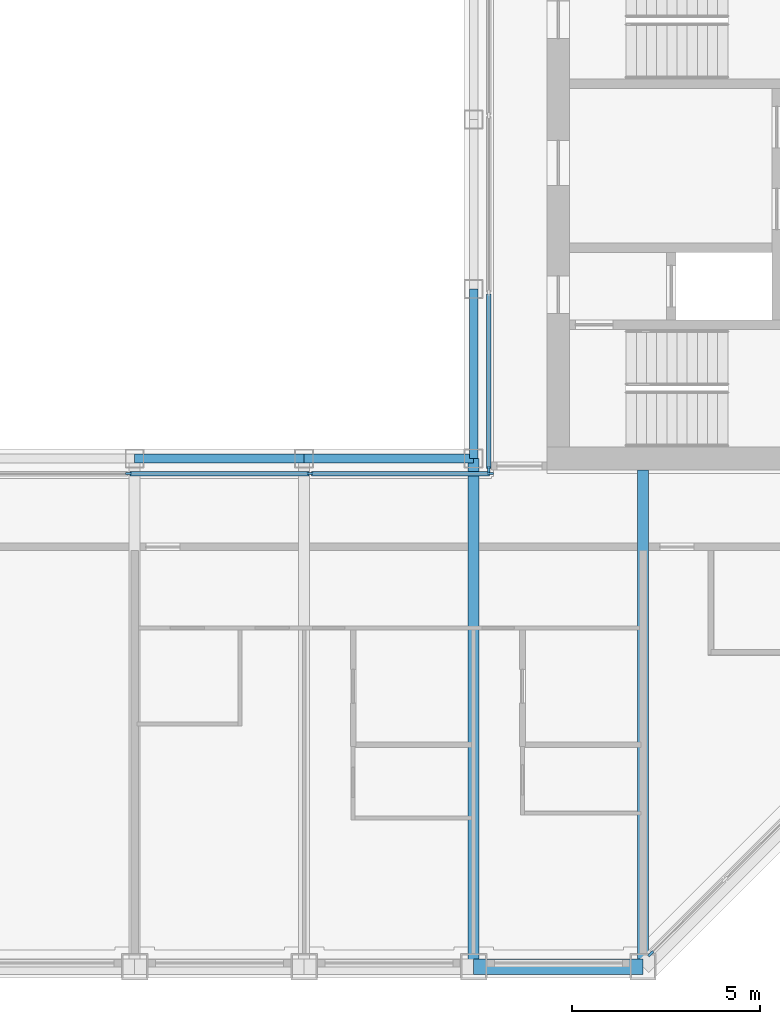
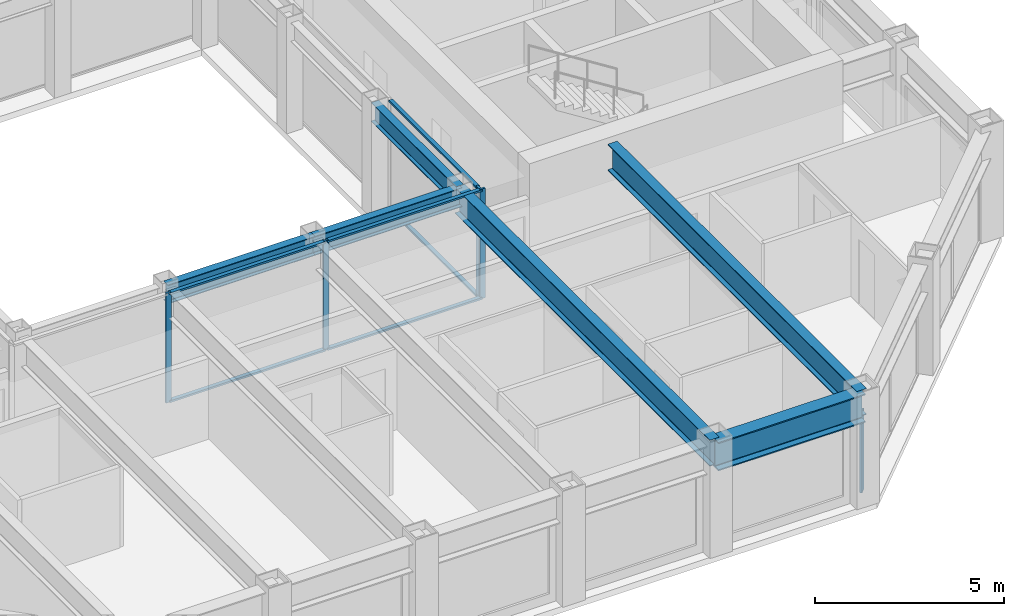
# One storey, part 3 of 17: 11 members, 6 beams, 3 elements without a shape of their own.
"""IFC4 building model written with IfcOpenShell, lengths in metres."""

import ifcopenshell
import ifcopenshell.guid

model = None  # the IFC model being written
_history = None  # IfcOwnerHistory: only IFC2X3 demands one
_inside = {}  # id of a spatial element -> (the spatial element, [elements in it])
_under = {}  # id of a project, library or spatial element -> (it, [spatial elements below it])
_declared = {}  # id of a project -> (the project, [libraries it declares])
_typed = {}  # id of a type object -> (the type object, [elements of that type])
_made_of = {}  # id of a material, layer set ... -> (it, [elements and type objects made of it])


def new_model(schema):
    """Start an empty IFC model of exactly this schema.

    Asked for "IFC4X3", IfcOpenShell would pick the latest addendum, in which some entities
    have other attributes; the version numbers below select the first issue.
    IFC2X3 requires an IfcOwnerHistory on every rooted entity: one is made here for all.
    """
    global model, _history
    if schema == "IFC4X3":
        model = ifcopenshell.file(schema_version=(4, 3, 0, 0))
    else:
        model = ifcopenshell.file(schema=schema)
    _inside.clear()
    _under.clear()
    _declared.clear()
    _typed.clear()
    _made_of.clear()
    _history = None
    if model.schema == "IFC2X3":
        org = make("IfcOrganization", Name="unknown")
        user = make(
            "IfcPersonAndOrganization",
            ThePerson=make("IfcPerson", FamilyName="unknown"),
            TheOrganization=org,
        )
        app = make(
            "IfcApplication",
            ApplicationDeveloper=org,
            Version="unknown",
            ApplicationFullName="unknown",
            ApplicationIdentifier="unknown",
        )
        _history = make(
            "IfcOwnerHistory",
            OwningUser=user,
            OwningApplication=app,
            ChangeAction="ADDED",
            CreationDate=0,
        )
    return model


def make(cls, **values):
    """One entity of the class cls with the attributes given. An attribute that is None is left unset."""
    return model.create_entity(
        cls, **{name: value for name, value in values.items() if value is not None}
    )


def rooted(cls, **values):
    """An entity with a GlobalId (a new one), such as an element, a storey or a relation."""
    return make(cls, GlobalId=ifcopenshell.guid.new(), OwnerHistory=_history, **values)


def si_unit(unit_type, name, prefix=None):
    """IfcSIUnit, for example si_unit("LENGTHUNIT", "METRE", prefix="MILLI")."""
    return make("IfcSIUnit", UnitType=unit_type, Prefix=prefix, Name=name)


def assignment(units):
    """IfcUnitAssignment: the units of a project."""
    return None if units is None else make("IfcUnitAssignment", Units=units)


def point(xyz):
    """IfcCartesianPoint."""
    return None if xyz is None else make("IfcCartesianPoint", Coordinates=xyz)


def direction(xyz):
    """IfcDirection."""
    return None if xyz is None else make("IfcDirection", DirectionRatios=xyz)


def frame(location, z_axis=None, x_axis=None):
    """IfcAxis2Placement3D, a coordinate frame: its origin and axes. An axis left out is left unset."""
    return make(
        "IfcAxis2Placement3D",
        Location=point(location),
        Axis=direction(z_axis),
        RefDirection=direction(x_axis),
    )


def frame_2d(location, x_axis=None):
    """IfcAxis2Placement2D, a coordinate frame in the plane: its origin and x axis."""
    return make(
        "IfcAxis2Placement2D", Location=point(location), RefDirection=direction(x_axis)
    )


def origin():
    """The frame at (0, 0, 0) with its axes left unset."""
    return frame((0.0, 0.0, 0.0))


def origin_2d():
    """The frame at (0, 0) in the plane with its x axis left unset."""
    return frame_2d((0.0, 0.0))


def place(relative_to, where):
    """IfcLocalPlacement: puts the frame where relative to a parent placement (None: the world)."""
    return make(
        "IfcLocalPlacement", PlacementRelTo=relative_to, RelativePlacement=where
    )


def context(
    kind, dimensions, precision=None, world=None, true_north=None, identifier=None
):
    """IfcGeometricRepresentationContext, for example the 3D "Model" context."""
    return make(
        "IfcGeometricRepresentationContext",
        ContextIdentifier=identifier,
        ContextType=kind,
        CoordinateSpaceDimension=dimensions,
        Precision=precision,
        WorldCoordinateSystem=world,
        TrueNorth=true_north,
    )


def subcontext(parent, identifier, kind, view, scale=None):
    """IfcGeometricRepresentationSubContext, for example "Body" below "Model"."""
    return make(
        "IfcGeometricRepresentationSubContext",
        ContextIdentifier=identifier,
        ContextType=kind,
        ParentContext=parent,
        TargetScale=scale,
        TargetView=view,
    )


def project(units=None, contexts=None):
    """IfcProject with its units and contexts."""
    return rooted(
        "IfcProject",
        Name="project",
        RepresentationContexts=contexts,
        UnitsInContext=assignment(units),
    )


def spatial(cls, under=None, at=None, **own):
    """A site, building, storey or space (cls), placed at a placement, below another one or the project."""
    s = rooted(cls, ObjectPlacement=at, **own)
    if under is not None:
        _under.setdefault(under.id(), (under, []))[1].append(s)
    return s


def profile(cls, at=None, kind="AREA", **sizes):
    """A parametric profile (cls). Its sizes go by their IFC names, for example OverallWidth=200.0."""
    return make(cls, ProfileType=kind, Position=at, **sizes)


def rectangle(**sizes):
    """IfcRectangleProfileDef."""
    return profile("IfcRectangleProfileDef", **sizes)


def i_section(**sizes):
    """IfcIShapeProfileDef."""
    return profile("IfcIShapeProfileDef", **sizes)


def extrude(swept, where, along, depth):
    """IfcExtrudedAreaSolid: the profile swept, set in the frame where, extruded along a direction by depth."""
    return make(
        "IfcExtrudedAreaSolid",
        SweptArea=swept,
        Position=where,
        ExtrudedDirection=direction(along),
        Depth=depth,
    )


def shape(context_of_items, identifier, shape_type, items):
    """IfcShapeRepresentation: the items that make up one representation, for example the "Body"."""
    return make(
        "IfcShapeRepresentation",
        ContextOfItems=context_of_items,
        RepresentationIdentifier=identifier,
        RepresentationType=shape_type,
        Items=items,
    )


def material(Name=None, Category=None):
    """IfcMaterial."""
    return make("IfcMaterial", Name=Name, Category=Category)


def material_profile(
    of_material, cross_section, Name=None, Category=None, Priority=None
):
    """IfcMaterialProfile: a cross section and its material."""
    return make(
        "IfcMaterialProfile",
        Name=Name,
        Material=of_material,
        Profile=cross_section,
        Priority=Priority,
        Category=Category,
    )


def profile_set(profiles, Name=None, composite=None):
    """IfcMaterialProfileSet."""
    return make(
        "IfcMaterialProfileSet",
        Name=Name,
        MaterialProfiles=profiles,
        CompositeProfile=composite,
    )


def made_of(thing, what):
    """Note that an element or type object is made of a material, layer set ...; save() writes the relation."""
    if what is not None:
        _made_of.setdefault(what.id(), (what, []))[1].append(thing)
    return thing


def type_object(cls, material=None, **own):
    """A type object (cls), such as IfcWallType, which elements share."""
    return made_of(rooted(cls, **own), material)


def element(
    cls,
    number,
    at=None,
    inside=None,
    cuts=None,
    type_object=None,
    material=None,
    context=None,
    identifier="Body",
    shape_type=None,
    held_by="IfcProductDefinitionShape",
    body=None,
    shapes=None,
    **own,
):
    """One element of the class cls, such as IfcWall. Its Tag is "e" and its number.

    at: its placement. inside: the storey or other place that contains it. cuts: it is an
    opening in that element (IfcRelVoidsElement). A single representation is given by context,
    identifier, shape_type and body (its items); several are given by shapes. held_by: the class
    of the entity that holds the representations. save() writes the other relations.
    """
    e = rooted(cls, Tag="e%d" % number, ObjectPlacement=at, **own)
    if body is not None:
        shapes = [shape(context, identifier, shape_type, body)]
    if shapes is not None:
        e.Representation = make(held_by, Representations=shapes)
    if inside is not None:
        _inside.setdefault(inside.id(), (inside, []))[1].append(e)
    if cuts is not None:
        rooted(
            "IfcRelVoidsElement", RelatingBuildingElement=cuts, RelatedOpeningElement=e
        )
    if type_object is not None:
        _typed.setdefault(type_object.id(), (type_object, []))[1].append(e)
    return made_of(e, material)


def aggregate(whole, parts):
    """IfcRelAggregates: a whole, such as a stair, and the parts it consists of."""
    return rooted("IfcRelAggregates", RelatingObject=whole, RelatedObjects=parts)


def save(model, path):
    """Write the relations noted so far, then the file.

    IfcRelAggregates (storeys below a building ...), IfcRelContainedInSpatialStructure (elements
    in a storey), IfcRelDefinesByType, IfcRelAssociatesMaterial and IfcRelDeclares: one each for
    every whole, place, type object, material and project.
    """
    for whole, parts in _under.values():
        aggregate(whole, parts)
    for where, things in _inside.values():
        rooted(
            "IfcRelContainedInSpatialStructure",
            RelatedElements=things,
            RelatingStructure=where,
        )
    for kind, things in _typed.values():
        rooted("IfcRelDefinesByType", RelatedObjects=things, RelatingType=kind)
    for what, things in _made_of.values():
        rooted("IfcRelAssociatesMaterial", RelatedObjects=things, RelatingMaterial=what)
    for by, libraries in _declared.values():
        rooted("IfcRelDeclares", RelatingContext=by, RelatedDefinitions=libraries)
    model.write(path)


model = new_model("IFC4")

# Units and contexts
model_context = context("Model", 3, precision=1e-05, world=origin(), true_north=direction((0.0, 1.0)))
body_context = subcontext(model_context, "Body", "Model", "MODEL_VIEW")
ifc_project = project(units=[si_unit("LENGTHUNIT", "METRE"), si_unit("AREAUNIT", "SQUARE_METRE"), si_unit("VOLUMEUNIT", "CUBIC_METRE"), si_unit("PLANEANGLEUNIT", "RADIAN"), si_unit("MASSUNIT", "GRAM", prefix="KILO")], contexts=[model_context])

# Site, building, storey
site_placement = place(None, origin())
site = spatial("IfcSite", under=ifc_project, at=site_placement, CompositionType="ELEMENT")
building_placement = place(site_placement, origin())
building = spatial("IfcBuilding", under=site, at=building_placement, Name="Msasa Ring Tower", CompositionType="ELEMENT")
storey_placement = place(building_placement, frame((0.0, 0.0, 234.550048828125)))
storey = spatial("IfcBuildingStorey", under=building, at=storey_placement, Name="L61", CompositionType="ELEMENT", Elevation=234.550048828125)

# Curtain wall, member
ifc_material_1 = material(Name="Aluminium curtain wall with clear glass", Category="aluminium")
curtain_wall_type_1 = type_object("IfcCurtainWallType", Name="CW-C CHAMFER CORNER CURTAIN WALL", PredefinedType="NOTDEFINED", material=ifc_material_1)
curtain_wall_1_placement = place(storey_placement, origin())
curtain_wall_1 = element("IfcCurtainWall", 1, at=curtain_wall_1_placement, inside=storey, type_object=curtain_wall_type_1, Name="Chamfer corner curtain wall SE L61", PredefinedType="NOTDEFINED")
ifc_material_2 = material(Name="Aluminium mullion", Category="aluminium")
ifc_material_profile_1 = material_profile(ifc_material_2, rectangle(XDim=0.06494140625, YDim=0.179931640625, at=origin_2d()), Name="AL 65x180")
ifc_profile_set_1 = profile_set([ifc_material_profile_1], Name="Aluminium mullion")
member_type_1 = type_object("IfcMemberType", Name="CW-C MULLION 65x180", PredefinedType="MULLION", material=ifc_profile_set_1)
member_1_placement = place(storey_placement, frame((11.453369140625, -19.9052734375, 0.0), z_axis=(0.0, 0.0, 1.0), x_axis=(-0.707106781187, 0.707106781187, 0.0)))
member_1 = element("IfcMember", 2, at=member_1_placement, type_object=member_type_1, Name="CW-C mullion 1", PredefinedType="MULLION", context=body_context, shape_type="SweptSolid", body=[
    extrude(rectangle(XDim=0.06494140625, YDim=0.179931640625, at=origin_2d()), origin(), (0.0, 0.0, 1.0), 2.62890625),
])
aggregate(curtain_wall_1, [member_1])

# Curtain wall, members
ifc_material_3 = material(Name="Aluminium curtain wall with clear glass", Category="aluminium")
curtain_wall_type_2 = type_object("IfcCurtainWallType", Name="CW-W LIGHT WELL CURTAIN WALL", PredefinedType="NOTDEFINED", material=ifc_material_3)
curtain_wall_2_placement = place(storey_placement, origin())
curtain_wall_2 = element("IfcCurtainWall", 3, at=curtain_wall_2_placement, inside=storey, type_object=curtain_wall_type_2, Name="Light well curtain wall S L61", PredefinedType="NOTDEFINED")
ifc_material_4 = material(Name="Aluminium mullion", Category="aluminium")
ifc_material_profile_2 = material_profile(ifc_material_4, rectangle(XDim=0.06005859375, YDim=0.159912109375, at=origin_2d()), Name="AL 60x160")
ifc_profile_set_2 = profile_set([ifc_material_profile_2], Name="Aluminium mullion")
member_type_2 = type_object("IfcMemberType", Name="CW-W MULLION 60x160", PredefinedType="MULLION", material=ifc_profile_set_2)
member_2_placement = place(storey_placement, frame((-2.409912109375, -7.14990234375, 0.0), z_axis=(0.0, 0.0, 1.0), x_axis=(0.0, 1.0, 0.0)))
member_2 = element("IfcMember", 4, at=member_2_placement, type_object=member_type_2, Name="CW-W mullion 2", PredefinedType="MULLION", context=body_context, shape_type="SweptSolid", body=[
    extrude(rectangle(XDim=0.06005859375, YDim=0.159912109375, at=origin_2d()), origin(), (0.0, 0.0, 1.0), 3.550048828125),
])
member_3_placement = place(storey_placement, frame((2.409912109375, -7.14990234375, 0.0), z_axis=(0.0, 0.0, 1.0), x_axis=(0.0, 1.0, 0.0)))
member_3 = element("IfcMember", 5, at=member_3_placement, type_object=member_type_2, Name="CW-W mullion 3", PredefinedType="MULLION", context=body_context, shape_type="SweptSolid", body=[
    extrude(rectangle(XDim=0.06005859375, YDim=0.159912109375, at=origin_2d()), origin(), (0.0, 0.0, 1.0), 3.550048828125),
])
member_4_placement = place(storey_placement, frame((7.199951171875, -7.14990234375, 0.0), z_axis=(0.0, 0.0, 1.0), x_axis=(0.0, 1.0, 0.0)))
member_4 = element("IfcMember", 6, at=member_4_placement, type_object=member_type_2, Name="CW-W mullion 4", PredefinedType="MULLION", context=body_context, shape_type="SweptSolid", body=[
    extrude(rectangle(XDim=0.06005859375, YDim=0.159912109375, at=origin_2d()), origin(), (0.0, 0.0, 1.0), 3.550048828125),
])

# Curtain wall, member
curtain_wall_3_placement = place(storey_placement, origin())
curtain_wall_3 = element("IfcCurtainWall", 7, at=curtain_wall_3_placement, inside=storey, type_object=curtain_wall_type_2, Name="Light well curtain wall E L61", PredefinedType="NOTDEFINED")
member_5_placement = place(storey_placement, frame((7.14990234375, -7.0400390625, 0.0), z_axis=(0.0, 0.0, 1.0), x_axis=(-1.0, 0.0, 0.0)))
member_5 = element("IfcMember", 8, at=member_5_placement, type_object=member_type_2, Name="CW-W mullion 1", PredefinedType="MULLION", context=body_context, shape_type="SweptSolid", body=[
    extrude(rectangle(XDim=0.06005859375, YDim=0.159912109375, at=origin_2d()), origin(), (0.0, 0.0, 1.0), 3.550048828125),
])

# Member
ifc_material_5 = material(Name="Aluminium transom", Category="aluminium")
ifc_material_profile_3 = material_profile(ifc_material_5, rectangle(XDim=0.1201171875, YDim=0.06005859375, at=origin_2d()), Name="AL 60x120")
ifc_profile_set_3 = profile_set([ifc_material_profile_3], Name="Aluminium transom")
member_type_3 = type_object("IfcMemberType", Name="CW-W TRANSOM 60x120", PredefinedType="USERDEFINED", material=ifc_profile_set_3)
member_6_placement = place(storey_placement, frame((-2.3798828125, -7.14990234375, 0.030029296875), z_axis=(1.0, 0.0, 0.0), x_axis=(0.0, 1.0, 0.0)))
member_6 = element("IfcMember", 9, at=member_6_placement, type_object=member_type_3, Name="CW-W transom 2.1", ObjectType="TRANSOM", PredefinedType="USERDEFINED", context=body_context, shape_type="SweptSolid", body=[
    extrude(rectangle(XDim=0.1201171875, YDim=0.06005859375, at=origin_2d()), origin(), (0.0, 0.0, 1.0), 4.759765625),
])

member_7_placement = place(storey_placement, frame((-2.3798828125, -7.14990234375, 3.52001953125), z_axis=(1.0, 0.0, 0.0), x_axis=(0.0, 1.0, 0.0)))
member_7 = element("IfcMember", 10, at=member_7_placement, type_object=member_type_3, Name="CW-W transom 2.2", ObjectType="TRANSOM", PredefinedType="USERDEFINED", context=body_context, shape_type="SweptSolid", body=[
    extrude(rectangle(XDim=0.1201171875, YDim=0.06005859375, at=origin_2d()), origin(), (0.0, 0.0, 1.0), 4.759765625),
])

member_8_placement = place(storey_placement, frame((2.43994140625, -7.14990234375, 0.030029296875), z_axis=(1.0, 0.0, 0.0), x_axis=(0.0, 1.0, 0.0)))
member_8 = element("IfcMember", 11, at=member_8_placement, type_object=member_type_3, Name="CW-W transom 3.1", ObjectType="TRANSOM", PredefinedType="USERDEFINED", context=body_context, shape_type="SweptSolid", body=[
    extrude(rectangle(XDim=0.1201171875, YDim=0.06005859375, at=origin_2d()), origin(), (0.0, 0.0, 1.0), 4.72998046875),
])

member_9_placement = place(storey_placement, frame((2.43994140625, -7.14990234375, 3.52001953125), z_axis=(1.0, 0.0, 0.0), x_axis=(0.0, 1.0, 0.0)))
member_9 = element("IfcMember", 12, at=member_9_placement, type_object=member_type_3, Name="CW-W transom 3.2", ObjectType="TRANSOM", PredefinedType="USERDEFINED", context=body_context, shape_type="SweptSolid", body=[
    extrude(rectangle(XDim=0.1201171875, YDim=0.06005859375, at=origin_2d()), origin(), (0.0, 0.0, 1.0), 4.72998046875),
])

aggregate(curtain_wall_2, [member_2, member_3, member_4, member_6, member_7, member_8, member_9])

member_10_placement = place(storey_placement, frame((7.14990234375, -7.010009765625, 0.030029296875), z_axis=(0.0, 1.0, 0.0), x_axis=(-1.0, 0.0, 0.0)))
member_10 = element("IfcMember", 13, at=member_10_placement, type_object=member_type_3, Name="CW-W transom 1.1", ObjectType="TRANSOM", PredefinedType="USERDEFINED", context=body_context, shape_type="SweptSolid", body=[
    extrude(rectangle(XDim=0.1201171875, YDim=0.06005859375, at=origin_2d()), origin(), (0.0, 0.0, 1.0), 4.623291015625),
])

member_11_placement = place(storey_placement, frame((7.14990234375, -7.010009765625, 3.52001953125), z_axis=(0.0, 1.0, 0.0), x_axis=(-1.0, 0.0, 0.0)))
member_11 = element("IfcMember", 14, at=member_11_placement, type_object=member_type_3, Name="CW-W transom 1.2", ObjectType="TRANSOM", PredefinedType="USERDEFINED", context=body_context, shape_type="SweptSolid", body=[
    extrude(rectangle(XDim=0.1201171875, YDim=0.06005859375, at=origin_2d()), origin(), (0.0, 0.0, 1.0), 4.623291015625),
])

aggregate(curtain_wall_3, [member_5, member_10, member_11])

# Beams
ifc_material_6 = material(Name="Steel S355", Category="steel")
ifc_material_profile_4 = material_profile(ifc_material_6, i_section(OverallWidth=0.293701171875, OverallDepth=0.850830078125, WebThickness=0.01611328125, FlangeThickness=0.02685546875, FilletRadius=0.017822265625, at=origin_2d()), Name="UB 838x292x226")
ifc_profile_set_4 = profile_set([ifc_material_profile_4], Name="Steel S355")
beam_type_1 = type_object("IfcBeamType", Name="FB5 UB 838x292x226", PredefinedType="BEAM", material=ifc_profile_set_4)
beam_1_placement = place(storey_placement, frame((6.75, -20.25, 3.12451171875), z_axis=(0.0, 1.0, 0.0), x_axis=(-1.0, 0.0, 0.0)))
element("IfcBeam", 15, at=beam_1_placement, inside=storey, type_object=beam_type_1, Name="Floor beam S+6.75 under L62", PredefinedType="BEAM", context=body_context, shape_type="SweptSolid", body=[
    extrude(i_section(OverallWidth=0.293701171875, OverallDepth=0.850830078125, WebThickness=0.01611328125, FlangeThickness=0.02685546875, FilletRadius=0.017822265625, at=origin_2d()), origin(), (0.0, 0.0, 1.0), 13.5),
])
beam_2_placement = place(storey_placement, frame((11.25, -20.25, 3.12451171875), z_axis=(0.0, 1.0, 0.0), x_axis=(-1.0, 0.0, 0.0)))
element("IfcBeam", 16, at=beam_2_placement, inside=storey, type_object=beam_type_1, Name="Floor beam S+11.25 under L62", PredefinedType="BEAM", context=body_context, shape_type="SweptSolid", body=[
    extrude(i_section(OverallWidth=0.293701171875, OverallDepth=0.850830078125, WebThickness=0.01611328125, FlangeThickness=0.02685546875, FilletRadius=0.017822265625, at=origin_2d()), origin(), (0.0, 0.0, 1.0), 13.199951171875),
])
ifc_material_7 = material(Name="Steel S355", Category="steel")
ifc_material_profile_5 = material_profile(ifc_material_7, i_section(OverallWidth=0.230224609375, OverallDepth=0.6171875, WebThickness=0.01318359375, FlangeThickness=0.022216796875, FilletRadius=0.0126953125, at=origin_2d()), Name="UB 610x229x140")
ifc_profile_set_5 = profile_set([ifc_material_profile_5], Name="Steel S355")
beam_type_2 = type_object("IfcBeamType", Name="RB1 UB 610x229x140", PredefinedType="BEAM", material=ifc_profile_set_5)
for number, where, z_axis, x_axis, name in (
    (17, (-2.25, -6.75, 3.241455078125), (1.0, 0.0, 0.0), (0.0, 1.0, 0.0), "Inner ring beam IR-2.25-6.75 under L62"),
    (18, (2.25, -6.75, 3.241455078125), (1.0, 0.0, 0.0), (0.0, 1.0, 0.0), "Inner ring beam IR+2.25-6.75 under L62"),
    (19, (6.75, -6.75, 3.241455078125), (0.0, 1.0, 0.0), (-1.0, 0.0, 0.0), "Inner ring beam IR+6.75-6.75 under L62"),
):
    element("IfcBeam", number, at=place(storey_placement, frame(where, z_axis=z_axis, x_axis=x_axis)), inside=storey, type_object=beam_type_2, Name=name, PredefinedType="BEAM", context=body_context, shape_type="SweptSolid", body=[
        extrude(i_section(OverallWidth=0.230224609375, OverallDepth=0.6171875, WebThickness=0.01318359375, FlangeThickness=0.022216796875, FilletRadius=0.0126953125, at=origin_2d()), origin(), (0.0, 0.0, 1.0), 4.5),
    ])
ifc_material_8 = material(Name="Steel S355", Category="steel")
ifc_material_profile_6 = material_profile(ifc_material_8, i_section(OverallWidth=0.42041015625, OverallDepth=0.9208984375, WebThickness=0.021484375, FlangeThickness=0.03662109375, FilletRadius=0.024169921875, at=origin_2d()), Name="UB 914x419x388")
ifc_profile_set_6 = profile_set([ifc_material_profile_6], Name="Steel S355")
beam_type_3 = type_object("IfcBeamType", Name="SB1 UB 914x419x388", PredefinedType="SPANDREL", material=ifc_profile_set_6)
beam_3_placement = place(storey_placement, frame((6.75, -20.25, 3.08935546875), z_axis=(1.0, 0.0, 0.0), x_axis=(0.0, 1.0, 0.0)))
element("IfcBeam", 20, at=beam_3_placement, inside=storey, type_object=beam_type_3, Name="Spandrel S+6.75 to S+11.25 under L62", PredefinedType="SPANDREL", context=body_context, shape_type="SweptSolid", body=[
    extrude(i_section(OverallWidth=0.42041015625, OverallDepth=0.9208984375, WebThickness=0.021484375, FlangeThickness=0.03662109375, FilletRadius=0.024169921875, at=origin_2d()), origin(), (0.0, 0.0, 1.0), 4.5),
])

save(model, "model.ifc")
